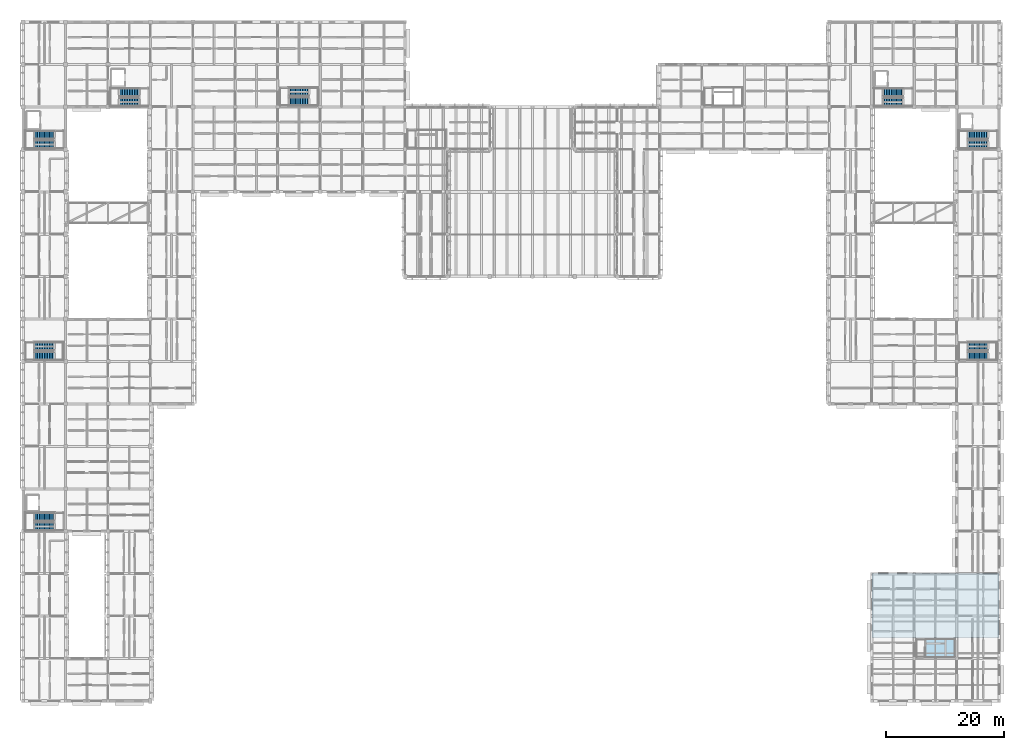
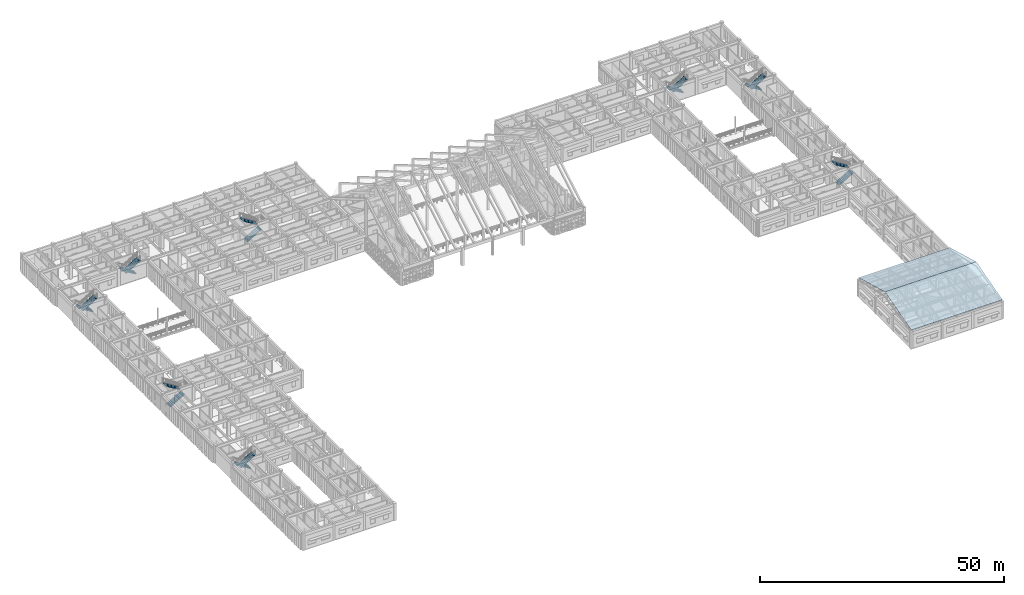
# One storey, part 142 of 171: 16 stair flights, 2 roofs, 8 elements without a shape of their own.
"""IFC4 building model written with IfcOpenShell, lengths in metres."""

from ifc_helpers import new_model, si_unit, direction, frame, origin, place, context, subcontext, project, spatial, polyline, outline, extrude, material, layer, layer_set, type_object, element, aggregate, save


model = new_model("IFC4")

# Units and contexts
model_context = context("Model", 3, precision=1e-05, world=origin(), true_north=direction((0.0, 1.0)))
body_context = subcontext(model_context, "Body", "Model", "MODEL_VIEW")
ifc_project = project(units=[si_unit("LENGTHUNIT", "METRE"), si_unit("AREAUNIT", "SQUARE_METRE"), si_unit("VOLUMEUNIT", "CUBIC_METRE"), si_unit("PLANEANGLEUNIT", "RADIAN"), si_unit("MASSUNIT", "GRAM", prefix="KILO")], contexts=[model_context])

# Site, building, storey
site_placement = place(None, origin())
site = spatial("IfcSite", under=ifc_project, at=site_placement, CompositionType="ELEMENT")
building_placement = place(site_placement, origin())
building = spatial("IfcBuilding", under=site, at=building_placement, Name="Aldebral Square Health Centre", CompositionType="ELEMENT")
storey_placement = place(building_placement, frame((0.0, 0.0, 4.5)))
storey = spatial("IfcBuildingStorey", under=building, at=storey_placement, Name="L01", CompositionType="ELEMENT", Elevation=4.5)

# Stair, stair flights
ifc_material_1 = material(Name="Concrete C35/45", Category="concrete")
stair_type = type_object("IfcStairType", Name="ST-DOG-140", PredefinedType="HALF_TURN_STAIR", material=ifc_material_1)
stair_1_placement = place(storey_placement, origin())
stair_1 = element("IfcStair", 1, at=stair_1_placement, inside=storey, type_object=stair_type, Name="L01 ST-01", PredefinedType="HALF_TURN_STAIR")
stair_flight_type = type_object("IfcStairFlightType", Name="STF-DOG-140", PredefinedType="STRAIGHT", material=ifc_material_1)
stair_flight_1_placement = place(storey_placement, frame((5.320068359375, 96.02001953125, 0.0), z_axis=(0.0, 0.0, 1.0), x_axis=(-1.0, 0.0, 0.0)))
stair_flight_1 = element("IfcStairFlight", 2, at=stair_flight_1_placement, type_object=stair_flight_type, Name="ST-01 flight 1", NumberOfRisers=13, NumberOfTreads=12, PredefinedType="STRAIGHT", RiserHeight=0.173076923, TreadLength=0.285, context=body_context, shape_type="SweptSolid", body=[
    extrude(outline(polyline([(0.0, 0.0), (0.0, 0.173095703125), (0.284912109375, 0.173095703125), (0.284912109375, 0.34619140625), (0.570068359375, 0.34619140625), (0.570068359375, 0.519287109375), (0.85498046875, 0.519287109375), (0.85498046875, 0.6923828125), (1.139892578125, 0.6923828125), (1.139892578125, 0.865478515625), (1.425048828125, 0.865478515625), (1.425048828125, 1.03857421875), (1.7099609375, 1.03857421875), (1.7099609375, 1.21142578125), (1.9951171875, 1.21142578125), (1.9951171875, 1.384521484375), (2.280029296875, 1.384521484375), (2.280029296875, 1.5576171875), (2.56494140625, 1.5576171875), (2.56494140625, 1.730712890625), (2.85009765625, 1.730712890625), (2.85009765625, 1.90380859375), (3.135009765625, 1.90380859375), (3.135009765625, 2.076904296875), (3.419921875, 2.076904296875), (3.419921875, 2.25), (3.419921875, 1.889892578125), (0.30810546875, 0.0), (0.0, 0.0)])), frame((0.0, 0.699951171875, 0.0), z_axis=(0.0, -1.0, 0.0), x_axis=(1.0, 0.0, 0.0)), (0.0, 0.0, 1.0), 1.39990234375),
])
stair_flight_2_placement = place(storey_placement, frame((1.89990234375, 94.419921875, 2.25), z_axis=(0.0, 0.0, 1.0), x_axis=(1.0, 0.0, 0.0)))
stair_flight_2 = element("IfcStairFlight", 3, at=stair_flight_2_placement, type_object=stair_flight_type, Name="ST-01 flight 2", NumberOfRisers=13, NumberOfTreads=12, PredefinedType="STRAIGHT", RiserHeight=0.173076923, TreadLength=0.285, context=body_context, shape_type="SweptSolid", body=[
    extrude(outline(polyline([(0.0, 0.0), (0.0, 0.173095703125), (0.284912109375, 0.173095703125), (0.284912109375, 0.34619140625), (0.570068359375, 0.34619140625), (0.570068359375, 0.519287109375), (0.85498046875, 0.519287109375), (0.85498046875, 0.6923828125), (1.139892578125, 0.6923828125), (1.139892578125, 0.865478515625), (1.425048828125, 0.865478515625), (1.425048828125, 1.03857421875), (1.7099609375, 1.03857421875), (1.7099609375, 1.21142578125), (1.9951171875, 1.21142578125), (1.9951171875, 1.384521484375), (2.280029296875, 1.384521484375), (2.280029296875, 1.5576171875), (2.56494140625, 1.5576171875), (2.56494140625, 1.730712890625), (2.85009765625, 1.730712890625), (2.85009765625, 1.90380859375), (3.135009765625, 1.90380859375), (3.135009765625, 2.076904296875), (3.419921875, 2.076904296875), (3.419921875, 2.25), (3.419921875, 1.889892578125), (0.30810546875, 0.0), (0.0, 0.0)])), frame((0.0, 0.699951171875, 0.0), z_axis=(0.0, -1.0, 0.0), x_axis=(1.0, 0.0, 0.0)), (0.0, 0.0, 1.0), 1.39990234375),
])
aggregate(stair_1, [stair_flight_1, stair_flight_2])

stair_2_placement = place(storey_placement, origin())
stair_2 = element("IfcStair", 4, at=stair_2_placement, inside=storey, type_object=stair_type, Name="L01 ST-02", PredefinedType="HALF_TURN_STAIR")
stair_flight_3_placement = place(storey_placement, frame((19.719970703125, 103.219970703125, 0.0), z_axis=(0.0, 0.0, 1.0), x_axis=(-1.0, 0.0, 0.0)))
stair_flight_3 = element("IfcStairFlight", 5, at=stair_flight_3_placement, type_object=stair_flight_type, Name="ST-02 flight 1", NumberOfRisers=13, NumberOfTreads=12, PredefinedType="STRAIGHT", RiserHeight=0.173076923, TreadLength=0.285, context=body_context, shape_type="SweptSolid", body=[
    extrude(outline(polyline([(0.0, 0.0), (0.0, 0.173095703125), (0.284912109375, 0.173095703125), (0.284912109375, 0.34619140625), (0.570068359375, 0.34619140625), (0.570068359375, 0.519287109375), (0.85498046875, 0.519287109375), (0.85498046875, 0.6923828125), (1.139892578125, 0.6923828125), (1.139892578125, 0.865478515625), (1.425048828125, 0.865478515625), (1.425048828125, 1.03857421875), (1.7099609375, 1.03857421875), (1.7099609375, 1.21142578125), (1.9951171875, 1.21142578125), (1.9951171875, 1.384521484375), (2.280029296875, 1.384521484375), (2.280029296875, 1.5576171875), (2.56494140625, 1.5576171875), (2.56494140625, 1.730712890625), (2.85009765625, 1.730712890625), (2.85009765625, 1.90380859375), (3.135009765625, 1.90380859375), (3.135009765625, 2.076904296875), (3.419921875, 2.076904296875), (3.419921875, 2.25), (3.419921875, 1.889892578125), (0.30810546875, 0.0), (0.0, 0.0)])), frame((0.0, 0.699951171875, 0.0), z_axis=(0.0, -1.0, 0.0), x_axis=(1.0, 0.0, 0.0)), (0.0, 0.0, 1.0), 1.39990234375),
])
stair_flight_4_placement = place(storey_placement, frame((16.300048828125, 101.6201171875, 2.25), z_axis=(0.0, 0.0, 1.0), x_axis=(1.0, 0.0, 0.0)))
stair_flight_4 = element("IfcStairFlight", 6, at=stair_flight_4_placement, type_object=stair_flight_type, Name="ST-02 flight 2", NumberOfRisers=13, NumberOfTreads=12, PredefinedType="STRAIGHT", RiserHeight=0.173076923, TreadLength=0.285, context=body_context, shape_type="SweptSolid", body=[
    extrude(outline(polyline([(0.0, 0.0), (0.0, 0.173095703125), (0.284912109375, 0.173095703125), (0.284912109375, 0.34619140625), (0.570068359375, 0.34619140625), (0.570068359375, 0.519287109375), (0.85498046875, 0.519287109375), (0.85498046875, 0.6923828125), (1.139892578125, 0.6923828125), (1.139892578125, 0.865478515625), (1.425048828125, 0.865478515625), (1.425048828125, 1.03857421875), (1.7099609375, 1.03857421875), (1.7099609375, 1.21142578125), (1.9951171875, 1.21142578125), (1.9951171875, 1.384521484375), (2.280029296875, 1.384521484375), (2.280029296875, 1.5576171875), (2.56494140625, 1.5576171875), (2.56494140625, 1.730712890625), (2.85009765625, 1.730712890625), (2.85009765625, 1.90380859375), (3.135009765625, 1.90380859375), (3.135009765625, 2.076904296875), (3.419921875, 2.076904296875), (3.419921875, 2.25), (3.419921875, 1.889892578125), (0.30810546875, 0.0), (0.0, 0.0)])), frame((0.0, 0.699951171875, 0.0), z_axis=(0.0, -1.0, 0.0), x_axis=(1.0, 0.0, 0.0)), (0.0, 0.0, 1.0), 1.39990234375),
])
aggregate(stair_2, [stair_flight_3, stair_flight_4])

stair_3_placement = place(storey_placement, origin())
stair_3 = element("IfcStair", 7, at=stair_3_placement, inside=storey, type_object=stair_type, Name="L01 ST-03", PredefinedType="HALF_TURN_STAIR")
stair_flight_5_placement = place(storey_placement, frame((163.719970703125, 96.02001953125, 0.0), z_axis=(0.0, 0.0, 1.0), x_axis=(-1.0, 0.0, 0.0)))
stair_flight_5 = element("IfcStairFlight", 8, at=stair_flight_5_placement, type_object=stair_flight_type, Name="ST-03 flight 1", NumberOfRisers=13, NumberOfTreads=12, PredefinedType="STRAIGHT", RiserHeight=0.173076923, TreadLength=0.285, context=body_context, shape_type="SweptSolid", body=[
    extrude(outline(polyline([(0.0, 0.0), (0.0, 0.173095703125), (0.284912109375, 0.173095703125), (0.284912109375, 0.34619140625), (0.570068359375, 0.34619140625), (0.570068359375, 0.519287109375), (0.85498046875, 0.519287109375), (0.85498046875, 0.6923828125), (1.139892578125, 0.6923828125), (1.139892578125, 0.865478515625), (1.425048828125, 0.865478515625), (1.425048828125, 1.03857421875), (1.7099609375, 1.03857421875), (1.7099609375, 1.21142578125), (1.9951171875, 1.21142578125), (1.9951171875, 1.384521484375), (2.280029296875, 1.384521484375), (2.280029296875, 1.5576171875), (2.56494140625, 1.5576171875), (2.56494140625, 1.730712890625), (2.85009765625, 1.730712890625), (2.85009765625, 1.90380859375), (3.135009765625, 1.90380859375), (3.135009765625, 2.076904296875), (3.419921875, 2.076904296875), (3.419921875, 2.25), (3.419921875, 1.889892578125), (0.30810546875, 0.0), (0.0, 0.0)])), frame((0.0, 0.699951171875, 0.0), z_axis=(0.0, -1.0, 0.0), x_axis=(1.0, 0.0, 0.0)), (0.0, 0.0, 1.0), 1.39990234375),
])
stair_flight_6_placement = place(storey_placement, frame((160.300048828125, 94.419921875, 2.25), z_axis=(0.0, 0.0, 1.0), x_axis=(1.0, 0.0, 0.0)))
stair_flight_6 = element("IfcStairFlight", 9, at=stair_flight_6_placement, type_object=stair_flight_type, Name="ST-03 flight 2", NumberOfRisers=13, NumberOfTreads=12, PredefinedType="STRAIGHT", RiserHeight=0.173076923, TreadLength=0.285, context=body_context, shape_type="SweptSolid", body=[
    extrude(outline(polyline([(0.0, 0.0), (0.0, 0.173095703125), (0.284912109375, 0.173095703125), (0.284912109375, 0.34619140625), (0.570068359375, 0.34619140625), (0.570068359375, 0.519287109375), (0.85498046875, 0.519287109375), (0.85498046875, 0.6923828125), (1.139892578125, 0.6923828125), (1.139892578125, 0.865478515625), (1.425048828125, 0.865478515625), (1.425048828125, 1.03857421875), (1.7099609375, 1.03857421875), (1.7099609375, 1.21142578125), (1.9951171875, 1.21142578125), (1.9951171875, 1.384521484375), (2.280029296875, 1.384521484375), (2.280029296875, 1.5576171875), (2.56494140625, 1.5576171875), (2.56494140625, 1.730712890625), (2.85009765625, 1.730712890625), (2.85009765625, 1.90380859375), (3.135009765625, 1.90380859375), (3.135009765625, 2.076904296875), (3.419921875, 2.076904296875), (3.419921875, 2.25), (3.419921875, 1.889892578125), (0.30810546875, 0.0), (0.0, 0.0)])), frame((0.0, 0.699951171875, 0.0), z_axis=(0.0, -1.0, 0.0), x_axis=(1.0, 0.0, 0.0)), (0.0, 0.0, 1.0), 1.39990234375),
])
aggregate(stair_3, [stair_flight_5, stair_flight_6])

stair_4_placement = place(storey_placement, origin())
stair_4 = element("IfcStair", 10, at=stair_4_placement, inside=storey, type_object=stair_type, Name="L01 ST-04", PredefinedType="HALF_TURN_STAIR")
stair_flight_7_placement = place(storey_placement, frame((149.320068359375, 103.219970703125, 0.0), z_axis=(0.0, 0.0, 1.0), x_axis=(-1.0, 0.0, 0.0)))
stair_flight_7 = element("IfcStairFlight", 11, at=stair_flight_7_placement, type_object=stair_flight_type, Name="ST-04 flight 1", NumberOfRisers=13, NumberOfTreads=12, PredefinedType="STRAIGHT", RiserHeight=0.173076923, TreadLength=0.285, context=body_context, shape_type="SweptSolid", body=[
    extrude(outline(polyline([(0.0, 0.0), (0.0, 0.173095703125), (0.284912109375, 0.173095703125), (0.284912109375, 0.34619140625), (0.570068359375, 0.34619140625), (0.570068359375, 0.519287109375), (0.85498046875, 0.519287109375), (0.85498046875, 0.6923828125), (1.139892578125, 0.6923828125), (1.139892578125, 0.865478515625), (1.425048828125, 0.865478515625), (1.425048828125, 1.03857421875), (1.7099609375, 1.03857421875), (1.7099609375, 1.21142578125), (1.9951171875, 1.21142578125), (1.9951171875, 1.384521484375), (2.280029296875, 1.384521484375), (2.280029296875, 1.5576171875), (2.56494140625, 1.5576171875), (2.56494140625, 1.730712890625), (2.85009765625, 1.730712890625), (2.85009765625, 1.90380859375), (3.135009765625, 1.90380859375), (3.135009765625, 2.076904296875), (3.419921875, 2.076904296875), (3.419921875, 2.25), (3.419921875, 1.889892578125), (0.30810546875, 0.0), (0.0, 0.0)])), frame((0.0, 0.699951171875, 0.0), z_axis=(0.0, -1.0, 0.0), x_axis=(1.0, 0.0, 0.0)), (0.0, 0.0, 1.0), 1.39990234375),
])
stair_flight_8_placement = place(storey_placement, frame((145.89990234375, 101.6201171875, 2.25), z_axis=(0.0, 0.0, 1.0), x_axis=(1.0, 0.0, 0.0)))
stair_flight_8 = element("IfcStairFlight", 12, at=stair_flight_8_placement, type_object=stair_flight_type, Name="ST-04 flight 2", NumberOfRisers=13, NumberOfTreads=12, PredefinedType="STRAIGHT", RiserHeight=0.173076923, TreadLength=0.285, context=body_context, shape_type="SweptSolid", body=[
    extrude(outline(polyline([(0.0, 0.0), (0.0, 0.173095703125), (0.284912109375, 0.173095703125), (0.284912109375, 0.34619140625), (0.570068359375, 0.34619140625), (0.570068359375, 0.519287109375), (0.85498046875, 0.519287109375), (0.85498046875, 0.6923828125), (1.139892578125, 0.6923828125), (1.139892578125, 0.865478515625), (1.425048828125, 0.865478515625), (1.425048828125, 1.03857421875), (1.7099609375, 1.03857421875), (1.7099609375, 1.21142578125), (1.9951171875, 1.21142578125), (1.9951171875, 1.384521484375), (2.280029296875, 1.384521484375), (2.280029296875, 1.5576171875), (2.56494140625, 1.5576171875), (2.56494140625, 1.730712890625), (2.85009765625, 1.730712890625), (2.85009765625, 1.90380859375), (3.135009765625, 1.90380859375), (3.135009765625, 2.076904296875), (3.419921875, 2.076904296875), (3.419921875, 2.25), (3.419921875, 1.889892578125), (0.30810546875, 0.0), (0.0, 0.0)])), frame((0.0, 0.699951171875, 0.0), z_axis=(0.0, -1.0, 0.0), x_axis=(1.0, 0.0, 0.0)), (0.0, 0.0, 1.0), 1.39990234375),
])
aggregate(stair_4, [stair_flight_7, stair_flight_8])

stair_5_placement = place(storey_placement, origin())
stair_5 = element("IfcStair", 13, at=stair_5_placement, inside=storey, type_object=stair_type, Name="L01 ST-05", PredefinedType="HALF_TURN_STAIR")
stair_flight_9_placement = place(storey_placement, frame((5.320068359375, 31.219970703125, 0.0), z_axis=(0.0, 0.0, 1.0), x_axis=(-1.0, 0.0, 0.0)))
stair_flight_9 = element("IfcStairFlight", 14, at=stair_flight_9_placement, type_object=stair_flight_type, Name="ST-05 flight 1", NumberOfRisers=13, NumberOfTreads=12, PredefinedType="STRAIGHT", RiserHeight=0.173076923, TreadLength=0.285, context=body_context, shape_type="SweptSolid", body=[
    extrude(outline(polyline([(0.0, 0.0), (0.0, 0.173095703125), (0.284912109375, 0.173095703125), (0.284912109375, 0.34619140625), (0.570068359375, 0.34619140625), (0.570068359375, 0.519287109375), (0.85498046875, 0.519287109375), (0.85498046875, 0.6923828125), (1.139892578125, 0.6923828125), (1.139892578125, 0.865478515625), (1.425048828125, 0.865478515625), (1.425048828125, 1.03857421875), (1.7099609375, 1.03857421875), (1.7099609375, 1.21142578125), (1.9951171875, 1.21142578125), (1.9951171875, 1.384521484375), (2.280029296875, 1.384521484375), (2.280029296875, 1.5576171875), (2.56494140625, 1.5576171875), (2.56494140625, 1.730712890625), (2.85009765625, 1.730712890625), (2.85009765625, 1.90380859375), (3.135009765625, 1.90380859375), (3.135009765625, 2.076904296875), (3.419921875, 2.076904296875), (3.419921875, 2.25), (3.419921875, 1.889892578125), (0.30810546875, 0.0), (0.0, 0.0)])), frame((0.0, 0.699951171875, 0.0), z_axis=(0.0, -1.0, 0.0), x_axis=(1.0, 0.0, 0.0)), (0.0, 0.0, 1.0), 1.39990234375),
])
stair_flight_10_placement = place(storey_placement, frame((1.89990234375, 29.6201171875, 2.25), z_axis=(0.0, 0.0, 1.0), x_axis=(1.0, 0.0, 0.0)))
stair_flight_10 = element("IfcStairFlight", 15, at=stair_flight_10_placement, type_object=stair_flight_type, Name="ST-05 flight 2", NumberOfRisers=13, NumberOfTreads=12, PredefinedType="STRAIGHT", RiserHeight=0.173076923, TreadLength=0.285, context=body_context, shape_type="SweptSolid", body=[
    extrude(outline(polyline([(0.0, 0.0), (0.0, 0.173095703125), (0.284912109375, 0.173095703125), (0.284912109375, 0.34619140625), (0.570068359375, 0.34619140625), (0.570068359375, 0.519287109375), (0.85498046875, 0.519287109375), (0.85498046875, 0.6923828125), (1.139892578125, 0.6923828125), (1.139892578125, 0.865478515625), (1.425048828125, 0.865478515625), (1.425048828125, 1.03857421875), (1.7099609375, 1.03857421875), (1.7099609375, 1.21142578125), (1.9951171875, 1.21142578125), (1.9951171875, 1.384521484375), (2.280029296875, 1.384521484375), (2.280029296875, 1.5576171875), (2.56494140625, 1.5576171875), (2.56494140625, 1.730712890625), (2.85009765625, 1.730712890625), (2.85009765625, 1.90380859375), (3.135009765625, 1.90380859375), (3.135009765625, 2.076904296875), (3.419921875, 2.076904296875), (3.419921875, 2.25), (3.419921875, 1.889892578125), (0.30810546875, 0.0), (0.0, 0.0)])), frame((0.0, 0.699951171875, 0.0), z_axis=(0.0, -1.0, 0.0), x_axis=(1.0, 0.0, 0.0)), (0.0, 0.0, 1.0), 1.39990234375),
])
aggregate(stair_5, [stair_flight_9, stair_flight_10])

stair_6_placement = place(storey_placement, origin())
stair_6 = element("IfcStair", 16, at=stair_6_placement, inside=storey, type_object=stair_type, Name="L01 ST-06", PredefinedType="HALF_TURN_STAIR")
stair_flight_11_placement = place(storey_placement, frame((45.080078125, 101.739990234375, 0.0), z_axis=(0.0, 0.0, 1.0), x_axis=(1.0, 0.0, 0.0)))
stair_flight_11 = element("IfcStairFlight", 17, at=stair_flight_11_placement, type_object=stair_flight_type, Name="ST-06 flight 1", NumberOfRisers=13, NumberOfTreads=12, PredefinedType="STRAIGHT", RiserHeight=0.173076923, TreadLength=0.285, context=body_context, shape_type="SweptSolid", body=[
    extrude(outline(polyline([(0.0, 0.0), (0.0, 0.173095703125), (0.284912109375, 0.173095703125), (0.284912109375, 0.34619140625), (0.570068359375, 0.34619140625), (0.570068359375, 0.519287109375), (0.85498046875, 0.519287109375), (0.85498046875, 0.6923828125), (1.139892578125, 0.6923828125), (1.139892578125, 0.865478515625), (1.425048828125, 0.865478515625), (1.425048828125, 1.03857421875), (1.7099609375, 1.03857421875), (1.7099609375, 1.21142578125), (1.9951171875, 1.21142578125), (1.9951171875, 1.384521484375), (2.280029296875, 1.384521484375), (2.280029296875, 1.5576171875), (2.56494140625, 1.5576171875), (2.56494140625, 1.730712890625), (2.85009765625, 1.730712890625), (2.85009765625, 1.90380859375), (3.135009765625, 1.90380859375), (3.135009765625, 2.076904296875), (3.419921875, 2.076904296875), (3.419921875, 2.25), (3.419921875, 1.889892578125), (0.30810546875, 0.0), (0.0, 0.0)])), frame((0.0, 0.699951171875, 0.0), z_axis=(0.0, -1.0, 0.0), x_axis=(1.0, 0.0, 0.0)), (0.0, 0.0, 1.0), 1.39990234375),
])
stair_flight_12_placement = place(storey_placement, frame((48.5, 103.340087890625, 2.25), z_axis=(0.0, 0.0, 1.0), x_axis=(-1.0, 0.0, 0.0)))
stair_flight_12 = element("IfcStairFlight", 18, at=stair_flight_12_placement, type_object=stair_flight_type, Name="ST-06 flight 2", NumberOfRisers=13, NumberOfTreads=12, PredefinedType="STRAIGHT", RiserHeight=0.173076923, TreadLength=0.285, context=body_context, shape_type="SweptSolid", body=[
    extrude(outline(polyline([(0.0, 0.0), (0.0, 0.173095703125), (0.284912109375, 0.173095703125), (0.284912109375, 0.34619140625), (0.570068359375, 0.34619140625), (0.570068359375, 0.519287109375), (0.85498046875, 0.519287109375), (0.85498046875, 0.6923828125), (1.139892578125, 0.6923828125), (1.139892578125, 0.865478515625), (1.425048828125, 0.865478515625), (1.425048828125, 1.03857421875), (1.7099609375, 1.03857421875), (1.7099609375, 1.21142578125), (1.9951171875, 1.21142578125), (1.9951171875, 1.384521484375), (2.280029296875, 1.384521484375), (2.280029296875, 1.5576171875), (2.56494140625, 1.5576171875), (2.56494140625, 1.730712890625), (2.85009765625, 1.730712890625), (2.85009765625, 1.90380859375), (3.135009765625, 1.90380859375), (3.135009765625, 2.076904296875), (3.419921875, 2.076904296875), (3.419921875, 2.25), (3.419921875, 1.889892578125), (0.30810546875, 0.0), (0.0, 0.0)])), frame((0.0, 0.699951171875, 0.0), z_axis=(0.0, -1.0, 0.0), x_axis=(1.0, 0.0, 0.0)), (0.0, 0.0, 1.0), 1.39990234375),
])
aggregate(stair_6, [stair_flight_11, stair_flight_12])

stair_7_placement = place(storey_placement, origin())
stair_7 = element("IfcStair", 19, at=stair_7_placement, inside=storey, type_object=stair_type, Name="L01 ST-09", PredefinedType="HALF_TURN_STAIR")
stair_flight_13_placement = place(storey_placement, frame((160.280029296875, 58.5400390625, 0.0), z_axis=(0.0, 0.0, 1.0), x_axis=(1.0, 0.0, 0.0)))
stair_flight_13 = element("IfcStairFlight", 20, at=stair_flight_13_placement, type_object=stair_flight_type, Name="ST-09 flight 1", NumberOfRisers=13, NumberOfTreads=12, PredefinedType="STRAIGHT", RiserHeight=0.173076923, TreadLength=0.285, context=body_context, shape_type="SweptSolid", body=[
    extrude(outline(polyline([(0.0, 0.0), (0.0, 0.173095703125), (0.284912109375, 0.173095703125), (0.284912109375, 0.34619140625), (0.570068359375, 0.34619140625), (0.570068359375, 0.519287109375), (0.85498046875, 0.519287109375), (0.85498046875, 0.6923828125), (1.139892578125, 0.6923828125), (1.139892578125, 0.865478515625), (1.425048828125, 0.865478515625), (1.425048828125, 1.03857421875), (1.7099609375, 1.03857421875), (1.7099609375, 1.21142578125), (1.9951171875, 1.21142578125), (1.9951171875, 1.384521484375), (2.280029296875, 1.384521484375), (2.280029296875, 1.5576171875), (2.56494140625, 1.5576171875), (2.56494140625, 1.730712890625), (2.85009765625, 1.730712890625), (2.85009765625, 1.90380859375), (3.135009765625, 1.90380859375), (3.135009765625, 2.076904296875), (3.419921875, 2.076904296875), (3.419921875, 2.25), (3.419921875, 1.889892578125), (0.30810546875, 0.0), (0.0, 0.0)])), frame((0.0, 0.699951171875, 0.0), z_axis=(0.0, -1.0, 0.0), x_axis=(1.0, 0.0, 0.0)), (0.0, 0.0, 1.0), 1.39990234375),
])
stair_flight_14_placement = place(storey_placement, frame((163.699951171875, 60.139892578125, 2.25), z_axis=(0.0, 0.0, 1.0), x_axis=(-1.0, 0.0, 0.0)))
stair_flight_14 = element("IfcStairFlight", 21, at=stair_flight_14_placement, type_object=stair_flight_type, Name="ST-09 flight 2", NumberOfRisers=13, NumberOfTreads=12, PredefinedType="STRAIGHT", RiserHeight=0.173076923, TreadLength=0.285, context=body_context, shape_type="SweptSolid", body=[
    extrude(outline(polyline([(0.0, 0.0), (0.0, 0.173095703125), (0.284912109375, 0.173095703125), (0.284912109375, 0.34619140625), (0.570068359375, 0.34619140625), (0.570068359375, 0.519287109375), (0.85498046875, 0.519287109375), (0.85498046875, 0.6923828125), (1.139892578125, 0.6923828125), (1.139892578125, 0.865478515625), (1.425048828125, 0.865478515625), (1.425048828125, 1.03857421875), (1.7099609375, 1.03857421875), (1.7099609375, 1.21142578125), (1.9951171875, 1.21142578125), (1.9951171875, 1.384521484375), (2.280029296875, 1.384521484375), (2.280029296875, 1.5576171875), (2.56494140625, 1.5576171875), (2.56494140625, 1.730712890625), (2.85009765625, 1.730712890625), (2.85009765625, 1.90380859375), (3.135009765625, 1.90380859375), (3.135009765625, 2.076904296875), (3.419921875, 2.076904296875), (3.419921875, 2.25), (3.419921875, 1.889892578125), (0.30810546875, 0.0), (0.0, 0.0)])), frame((0.0, 0.699951171875, 0.0), z_axis=(0.0, -1.0, 0.0), x_axis=(1.0, 0.0, 0.0)), (0.0, 0.0, 1.0), 1.39990234375),
])
aggregate(stair_7, [stair_flight_13, stair_flight_14])

stair_8_placement = place(storey_placement, origin())
stair_8 = element("IfcStair", 22, at=stair_8_placement, inside=storey, type_object=stair_type, Name="L01 ST-11", PredefinedType="HALF_TURN_STAIR")
stair_flight_15_placement = place(storey_placement, frame((1.8798828125, 58.5400390625, 0.0), z_axis=(0.0, 0.0, 1.0), x_axis=(1.0, 0.0, 0.0)))
stair_flight_15 = element("IfcStairFlight", 23, at=stair_flight_15_placement, type_object=stair_flight_type, Name="ST-11 flight 1", NumberOfRisers=13, NumberOfTreads=12, PredefinedType="STRAIGHT", RiserHeight=0.173076923, TreadLength=0.285, context=body_context, shape_type="SweptSolid", body=[
    extrude(outline(polyline([(0.0, 0.0), (0.0, 0.173095703125), (0.284912109375, 0.173095703125), (0.284912109375, 0.34619140625), (0.570068359375, 0.34619140625), (0.570068359375, 0.519287109375), (0.85498046875, 0.519287109375), (0.85498046875, 0.6923828125), (1.139892578125, 0.6923828125), (1.139892578125, 0.865478515625), (1.425048828125, 0.865478515625), (1.425048828125, 1.03857421875), (1.7099609375, 1.03857421875), (1.7099609375, 1.21142578125), (1.9951171875, 1.21142578125), (1.9951171875, 1.384521484375), (2.280029296875, 1.384521484375), (2.280029296875, 1.5576171875), (2.56494140625, 1.5576171875), (2.56494140625, 1.730712890625), (2.85009765625, 1.730712890625), (2.85009765625, 1.90380859375), (3.135009765625, 1.90380859375), (3.135009765625, 2.076904296875), (3.419921875, 2.076904296875), (3.419921875, 2.25), (3.419921875, 1.889892578125), (0.30810546875, 0.0), (0.0, 0.0)])), frame((0.0, 0.699951171875, 0.0), z_axis=(0.0, -1.0, 0.0), x_axis=(1.0, 0.0, 0.0)), (0.0, 0.0, 1.0), 1.39990234375),
])
stair_flight_16_placement = place(storey_placement, frame((5.300048828125, 60.139892578125, 2.25), z_axis=(0.0, 0.0, 1.0), x_axis=(-1.0, 0.0, 0.0)))
stair_flight_16 = element("IfcStairFlight", 24, at=stair_flight_16_placement, type_object=stair_flight_type, Name="ST-11 flight 2", NumberOfRisers=13, NumberOfTreads=12, PredefinedType="STRAIGHT", RiserHeight=0.173076923, TreadLength=0.285, context=body_context, shape_type="SweptSolid", body=[
    extrude(outline(polyline([(0.0, 0.0), (0.0, 0.173095703125), (0.284912109375, 0.173095703125), (0.284912109375, 0.34619140625), (0.570068359375, 0.34619140625), (0.570068359375, 0.519287109375), (0.85498046875, 0.519287109375), (0.85498046875, 0.6923828125), (1.139892578125, 0.6923828125), (1.139892578125, 0.865478515625), (1.425048828125, 0.865478515625), (1.425048828125, 1.03857421875), (1.7099609375, 1.03857421875), (1.7099609375, 1.21142578125), (1.9951171875, 1.21142578125), (1.9951171875, 1.384521484375), (2.280029296875, 1.384521484375), (2.280029296875, 1.5576171875), (2.56494140625, 1.5576171875), (2.56494140625, 1.730712890625), (2.85009765625, 1.730712890625), (2.85009765625, 1.90380859375), (3.135009765625, 1.90380859375), (3.135009765625, 2.076904296875), (3.419921875, 2.076904296875), (3.419921875, 2.25), (3.419921875, 1.889892578125), (0.30810546875, 0.0), (0.0, 0.0)])), frame((0.0, 0.699951171875, 0.0), z_axis=(0.0, -1.0, 0.0), x_axis=(1.0, 0.0, 0.0)), (0.0, 0.0, 1.0), 1.39990234375),
])
aggregate(stair_8, [stair_flight_15, stair_flight_16])

# Roofs
ifc_material_2 = material(Name="Standing-seam zinc pavilion roof")
ifc_layer = layer(ifc_material_2, 0.06005859375, Name="Standing-seam zinc pavilion roof")
ifc_layer_set = layer_set([ifc_layer], Name="Standing-seam zinc pavilion roof")
roof_type = type_object("IfcRoofType", Name="RF-V3-ASSY", PredefinedType="PAVILION_ROOF", material=ifc_layer_set)
for number, where, z_axis, x_axis, name in (
    (25, (144.0, 0.0, 4.614990234375), (0.0, -0.26764274042, 0.963518221675), (1.0, 0.0, 0.0), "V3 pavilion roof cap 1"),
    (26, (165.60009765625, 21.60009765625, 4.614990234375), (0.0, 0.26764274042, 0.963518221675), (-1.0, 0.0, 0.0), "V3 pavilion roof cap 2"),
):
    element("IfcRoof", number, at=place(storey_placement, frame(where, z_axis=z_axis, x_axis=x_axis)), inside=storey, type_object=roof_type, Name=name, PredefinedType="PAVILION_ROOF", context=body_context, shape_type="SweptSolid", body=[
        extrude(outline(polyline([(0.0, 0.0), (21.60009765625, 0.0), (21.60009765625, 11.208972062142193), (0.0, 11.208972062142193), (0.0, 0.0)])), origin(), (0.0, 0.0, -1.0), 0.06005859375),
    ])

save(model, "model.ifc")
